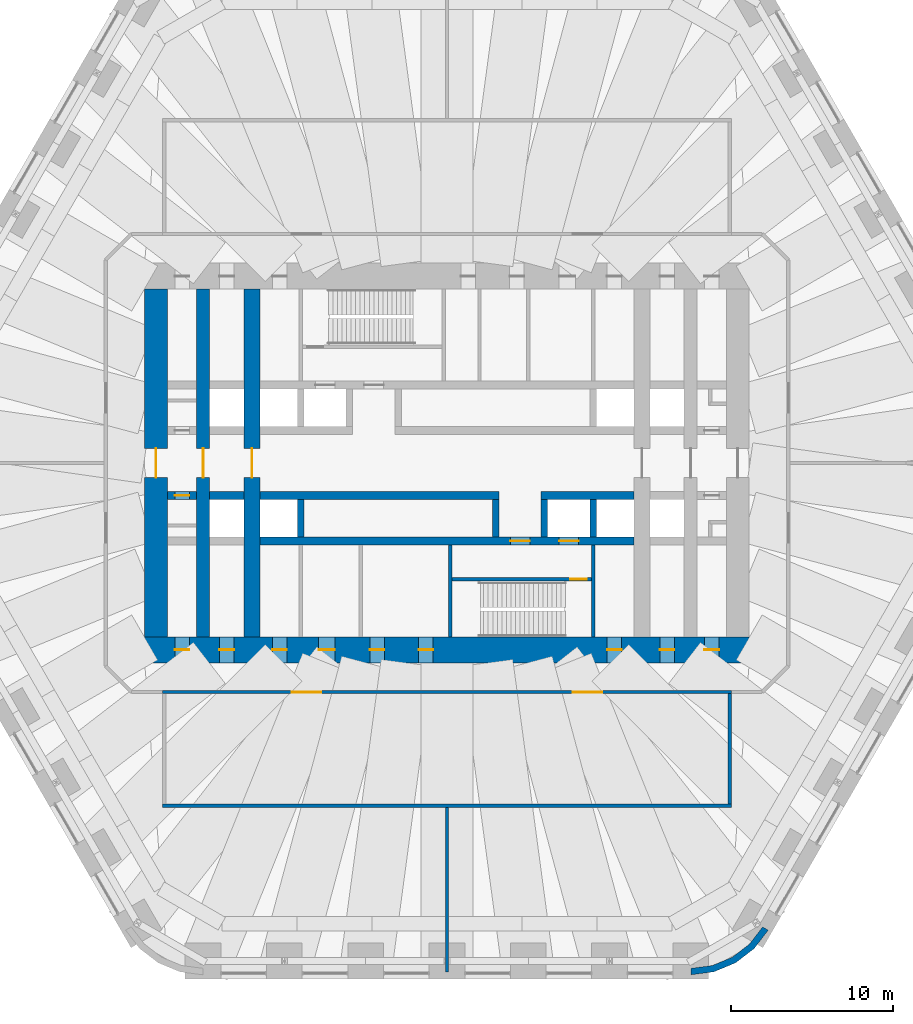
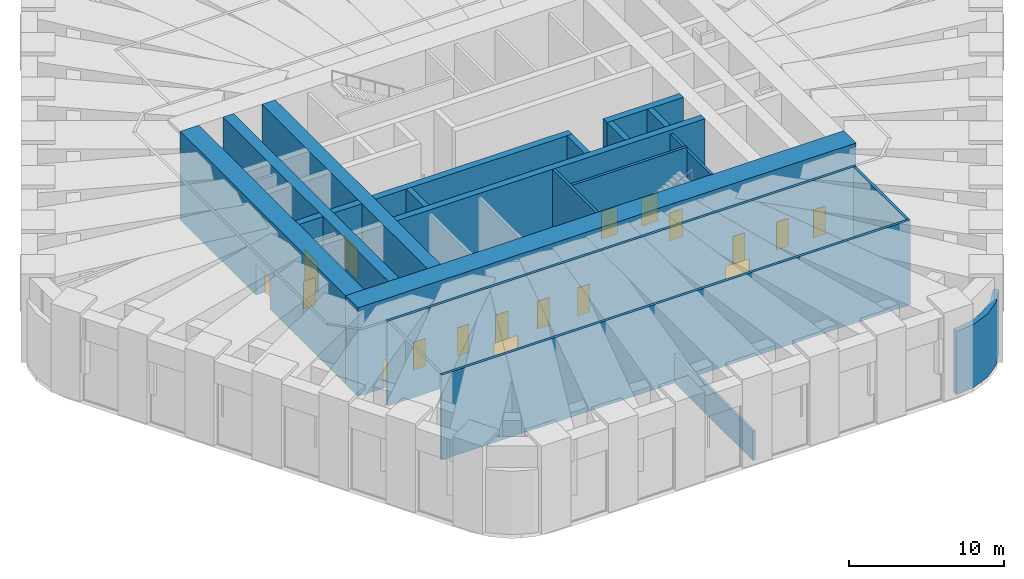
# One storey, part 13 of 16: 21 walls, 18 doors, 18 openings.
"""IFC4 building model written with IfcOpenShell, lengths in metres."""

from ifc_helpers import new_model, si_unit, direction, frame, frame_2d, origin, place, context, subcontext, project, spatial, polyline, rectangle, outline, extrude, material, layer, layer_set, type_object, element, fill, save


model = new_model("IFC4")

# Units and contexts
model_context = context("Model", 3, precision=1e-05, world=origin(), true_north=direction((0.0, 1.0)))
body_context = subcontext(model_context, "Body", "Model", "MODEL_VIEW")
ifc_project = project(units=[si_unit("LENGTHUNIT", "METRE"), si_unit("AREAUNIT", "SQUARE_METRE"), si_unit("VOLUMEUNIT", "CUBIC_METRE"), si_unit("PLANEANGLEUNIT", "RADIAN"), si_unit("MASSUNIT", "GRAM", prefix="KILO")], contexts=[model_context])

# Site, building, storey
site_placement = place(None, origin())
site = spatial("IfcSite", under=ifc_project, at=site_placement, CompositionType="ELEMENT")
building_placement = place(site_placement, origin())
building = spatial("IfcBuilding", under=site, at=building_placement, Name="Tarfa Lantern Tower", CompositionType="ELEMENT")
storey_placement = place(building_placement, frame((0.0, 0.0, 203.5)))
storey = spatial("IfcBuildingStorey", under=building, at=storey_placement, Name="L46", CompositionType="ELEMENT", Elevation=203.5)

# Walls
ifc_material_1 = material(Name="Limestone cladding on blockwork", Category="masonry")
ifc_layer_1 = layer(ifc_material_1, 0.39990234375)
ifc_layer_set_1 = layer_set([ifc_layer_1], Name="EW2 CURVED STONE CORNER 400")
wall_type_1 = type_object("IfcWallType", Name="EW2 CURVED STONE CORNER 400", PredefinedType="SOLIDWALL", material=ifc_layer_set_1)
wall_1_placement = place(storey_placement, origin())
element("IfcWall", 1, at=wall_1_placement, inside=storey, type_object=wall_type_1, Name="Stone corner S-SE", PredefinedType="SOLIDWALL", context=body_context, shape_type="SweptSolid", body=[
    extrude(outline(polyline([(15.010986328125, -31.5), (16.4345703125, -31.3125), (17.760986328125, -30.76318359375), (18.900146484375, -29.88916015625), (19.774169921875, -28.75), (19.427734375, -28.550048828125), (18.617431640625, -29.606201171875), (17.56103515625, -30.416748046875), (16.3310546875, -30.92626953125), (15.010986328125, -31.10009765625), (15.010986328125, -31.5)])), origin(), (0.0, 0.0, 1.0), 5.0),
])
ifc_material_2 = material(Name="Concrete blockwork", Category="masonry")
ifc_layer_2 = layer(ifc_material_2, 0.199951171875)
ifc_layer_set_2 = layer_set([ifc_layer_2], Name="IW1 BLOCKWORK PARTITION 200 EI 120")
wall_type_2 = type_object("IfcWallType", Name="IW1 BLOCKWORK PARTITION 200 EI 120", PredefinedType="PARTITIONING", material=ifc_layer_set_2)
wall_2_placement = place(storey_placement, frame((9.0, -5.050048828125, 0.0), z_axis=(0.0, 0.0, 1.0), x_axis=(0.0, -1.0, 0.0)))
element("IfcWall", 2, at=wall_2_placement, inside=storey, type_object=wall_type_2, Name="Core partition", PredefinedType="PARTITIONING", context=body_context, shape_type="SweptSolid", body=[
    extrude(rectangle(XDim=5.64990234375, YDim=0.199951171875, at=frame_2d((2.824951171875, 0.0))), origin(), (0.0, 0.0, 1.0), 6.699951171875),
])
wall_3_placement = place(storey_placement, frame((0.0, -21.199951171875, 0.0), z_axis=(0.0, 0.0, 1.0), x_axis=(0.0, -1.0, 0.0)))
element("IfcWall", 3, at=wall_3_placement, inside=storey, type_object=wall_type_2, Name="Fire-rated partition", PredefinedType="PARTITIONING", context=body_context, shape_type="SweptSolid", body=[
    extrude(rectangle(XDim=10.110107421875, YDim=0.199951171875, at=frame_2d((5.05517578125, 0.0))), origin(), (0.0, 0.0, 1.0), 2.300048828125),
])

# Wall, openings, doors
ifc_material_3 = material(Name="Gypsum board on steel studs", Category="steel")
ifc_layer_3 = layer(ifc_material_3, 0.2099609375)
ifc_layer_set_3 = layer_set([ifc_layer_3], Name="IW2 ACOUSTIC PARTITION 200")
wall_type_3 = type_object("IfcWallType", Name="IW2 ACOUSTIC PARTITION 200", PredefinedType="PARTITIONING", material=ifc_layer_set_3)
wall_4_placement = place(storey_placement, frame((17.5, -14.10009765625, 0.0), z_axis=(0.0, 0.0, 1.0), x_axis=(-1.0, 0.0, 0.0)))
wall_4 = element("IfcWall", 4, at=wall_4_placement, inside=storey, type_object=wall_type_3, Name="Partition", PredefinedType="PARTITIONING", context=body_context, shape_type="SweptSolid", body=[
    extrude(rectangle(XDim=35.0, YDim=0.199951171875, at=frame_2d((17.5, 0.0))), origin(), (0.0, 0.0, 1.0), 6.699951171875),
])
opening_1_placement = place(wall_4_placement, frame((25.25, 0.0, 0.0)))
opening_1 = element("IfcOpeningElement", 5, at=opening_1_placement, cuts=wall_4, Name="Opening D39", PredefinedType="OPENING", context=body_context, shape_type="SweptSolid", body=[
    extrude(rectangle(XDim=1.800048828125, YDim=2.199951171875, at=frame_2d((0.89990234375, 1.10009765625))), frame((0.0, 0.10986328125, 0.0), z_axis=(0.0, -1.0, 0.0), x_axis=(1.0, 0.0, 0.0)), (0.0, 0.0, 1.0), 0.219970703125),
])
opening_2_placement = place(wall_4_placement, frame((7.949951171875, 0.0, 0.0)))
opening_2 = element("IfcOpeningElement", 6, at=opening_2_placement, cuts=wall_4, Name="Opening D40", PredefinedType="OPENING", context=body_context, shape_type="SweptSolid", body=[
    extrude(rectangle(XDim=1.800048828125, YDim=2.199951171875, at=frame_2d((0.89990234375, 1.10009765625))), frame((0.0, 0.10986328125, 0.0), z_axis=(0.0, -1.0, 0.0), x_axis=(1.0, 0.0, 0.0)), (0.0, 0.0, 1.0), 0.219970703125),
])
ifc_material_4 = material(Name="Timber door", Category="wood")
door_type_1 = type_object("IfcDoorType", Name="DR5 ROOM DOOR 1800x2200", OperationType="DOUBLE_DOOR_SINGLE_SWING", PredefinedType="DOOR", material=ifc_material_4)
door_1_placement = place(opening_1_placement, origin())
door_1 = element("IfcDoor", 7, at=door_1_placement, inside=storey, type_object=door_type_1, Name="Refuge area door", OperationType="DOUBLE_DOOR_SINGLE_SWING", OverallHeight=2.199951171875, OverallWidth=1.800048828125, PredefinedType="DOOR", context=body_context, shape_type="SweptSolid", body=[
    extrude(rectangle(XDim=1.800048828125, YDim=2.199951171875, at=frame_2d((0.89990234375, 1.10009765625))), frame((0.0, 0.02490234375, 0.0), z_axis=(0.0, -1.0, 0.0), x_axis=(1.0, 0.0, 0.0)), (0.0, 0.0, 1.0), 0.050048828125),
])
fill(opening_1, door_1)
door_2_placement = place(opening_2_placement, origin())
door_2 = element("IfcDoor", 8, at=door_2_placement, inside=storey, type_object=door_type_1, Name="Refuge area door", OperationType="DOUBLE_DOOR_SINGLE_SWING", OverallHeight=2.199951171875, OverallWidth=1.800048828125, PredefinedType="DOOR", context=body_context, shape_type="SweptSolid", body=[
    extrude(rectangle(XDim=1.800048828125, YDim=2.199951171875, at=frame_2d((0.89990234375, 1.10009765625))), frame((0.0, 0.02490234375, 0.0), z_axis=(0.0, -1.0, 0.0), x_axis=(1.0, 0.0, 0.0)), (0.0, 0.0, 1.0), 0.050048828125),
])
fill(opening_2, door_2)

# Walls
wall_5_placement = place(storey_placement, frame((17.39990234375, -14.199951171875, 0.0), z_axis=(0.0, 0.0, 1.0), x_axis=(0.0, -1.0, 0.0)))
element("IfcWall", 9, at=wall_5_placement, inside=storey, type_object=wall_type_3, Name="Partition", PredefinedType="PARTITIONING", context=body_context, shape_type="SweptSolid", body=[
    extrude(rectangle(XDim=6.800048828125, YDim=0.199951171875, at=frame_2d((3.39990234375, 0.0))), origin(), (0.0, 0.0, 1.0), 6.699951171875),
])
wall_6_placement = place(storey_placement, frame((17.5, -21.10009765625, 0.0), z_axis=(0.0, 0.0, 1.0), x_axis=(-1.0, 0.0, 0.0)))
element("IfcWall", 10, at=wall_6_placement, inside=storey, type_object=wall_type_3, Name="Partition", PredefinedType="PARTITIONING", context=body_context, shape_type="SweptSolid", body=[
    extrude(rectangle(XDim=35.0, YDim=0.199951171875, at=frame_2d((17.5, 0.0))), origin(), (0.0, 0.0, 1.0), 6.699951171875),
])

# Wall, opening, door
ifc_material_5 = material(Name="Concrete C80/95", Category="concrete")
ifc_layer_4 = layer(ifc_material_5, 0.800048828125)
ifc_layer_set_4 = layer_set([ifc_layer_4], Name="SW10 CORE WALL 800")
wall_type_4 = type_object("IfcWallType", Name="SW10 CORE WALL 800", PredefinedType="SHEAR", material=ifc_layer_set_4)
wall_7_placement = place(storey_placement, frame((-15.0, -10.699951171875, 0.0), z_axis=(0.0, 0.0, 1.0), x_axis=(0.0, 1.0, 0.0)))
wall_7 = element("IfcWall", 11, at=wall_7_placement, inside=storey, type_object=wall_type_4, Name="Core wall cross 15 m west", PredefinedType="SHEAR", context=body_context, shape_type="SweptSolid", body=[
    extrude(rectangle(XDim=21.39990234375, YDim=0.800048828125, at=frame_2d((10.699951171875, 0.0))), origin(), (0.0, 0.0, 1.0), 7.0),
])
opening_3_placement = place(wall_7_placement, frame((9.800048828125, 0.0, 0.0)))
opening_3 = element("IfcOpeningElement", 12, at=opening_3_placement, cuts=wall_7, Name="Opening D32", PredefinedType="OPENING", context=body_context, shape_type="SweptSolid", body=[
    extrude(rectangle(XDim=1.800048828125, YDim=2.39990234375, at=frame_2d((0.89990234375, 1.199951171875))), frame((0.0, 0.409912109375, 0.0), z_axis=(0.0, -1.0, 0.0), x_axis=(1.0, 0.0, 0.0)), (0.0, 0.0, 1.0), 0.820068359375),
])
ifc_material_6 = material(Name="Steel fire door", Category="steel")
door_type_2 = type_object("IfcDoorType", Name="DL1 LOBBY DOOR 1800x2400", OperationType="DOUBLE_DOOR_SINGLE_SWING", PredefinedType="DOOR", material=ifc_material_6)
door_3_placement = place(opening_3_placement, origin())
door_3 = element("IfcDoor", 13, at=door_3_placement, inside=storey, type_object=door_type_2, Name="Lift lobby door", OperationType="DOUBLE_DOOR_SINGLE_SWING", OverallHeight=2.39990234375, OverallWidth=1.800048828125, PredefinedType="DOOR", context=body_context, shape_type="SweptSolid", body=[
    extrude(rectangle(XDim=1.800048828125, YDim=2.39990234375, at=frame_2d((0.89990234375, 1.199951171875))), frame((0.0, 0.02490234375, 0.0), z_axis=(0.0, -1.0, 0.0), x_axis=(1.0, 0.0, 0.0)), (0.0, 0.0, 1.0), 0.050048828125),
])
fill(opening_3, door_3)

ifc_layer_5 = layer(ifc_material_5, 1.39990234375)
ifc_layer_set_5 = layer_set([ifc_layer_5], Name="SW11 CORE WALL 1400")
wall_type_5 = type_object("IfcWallType", Name="SW11 CORE WALL 1400", PredefinedType="SHEAR", material=ifc_layer_set_5)
wall_8_placement = place(storey_placement, frame((-17.89990234375, 10.699951171875, 0.0), z_axis=(0.0, 0.0, 1.0), x_axis=(0.0, -1.0, 0.0)))
wall_8 = element("IfcWall", 14, at=wall_8_placement, inside=storey, type_object=wall_type_5, Name="Core wall W", PredefinedType="SHEAR", context=body_context, shape_type="SweptSolid", body=[
    extrude(rectangle(XDim=21.39990234375, YDim=1.39990234375, at=frame_2d((10.699951171875, 0.0))), origin(), (0.0, 0.0, 1.0), 7.0),
])
opening_4_placement = place(wall_8_placement, frame((9.800048828125, 0.0, 0.0)))
opening_4 = element("IfcOpeningElement", 15, at=opening_4_placement, cuts=wall_8, Name="Opening D16", PredefinedType="OPENING", context=body_context, shape_type="SweptSolid", body=[
    extrude(rectangle(XDim=1.800048828125, YDim=2.39990234375, at=frame_2d((0.89990234375, 1.199951171875))), frame((0.0, 0.7099609375, 0.0), z_axis=(0.0, -1.0, 0.0), x_axis=(1.0, 0.0, 0.0)), (0.0, 0.0, 1.0), 1.419921875),
])
door_4_placement = place(opening_4_placement, frame((1.800048828125, 0.0, 0.0), z_axis=(0.0, 0.0, 1.0), x_axis=(-1.0, 0.0, 0.0)))
door_4 = element("IfcDoor", 16, at=door_4_placement, inside=storey, type_object=door_type_2, Name="Lift lobby door", OperationType="DOUBLE_DOOR_SINGLE_SWING", OverallHeight=2.39990234375, OverallWidth=1.800048828125, PredefinedType="DOOR", context=body_context, shape_type="SweptSolid", body=[
    extrude(rectangle(XDim=1.800048828125, YDim=2.39990234375, at=frame_2d((0.89990234375, 1.199951171875))), frame((0.0, 0.02490234375, 0.0), z_axis=(0.0, -1.0, 0.0), x_axis=(1.0, 0.0, 0.0)), (0.0, 0.0, 1.0), 0.050048828125),
])
fill(opening_4, door_4)

# Wall
ifc_layer_6 = layer(ifc_material_5, 0.199951171875)
ifc_layer_set_6 = layer_set([ifc_layer_6], Name="SW12 CORE WALL 200")
wall_type_6 = type_object("IfcWallType", Name="SW12 CORE WALL 200", PredefinedType="SHEAR", material=ifc_layer_set_6)
wall_9_placement = place(storey_placement, frame((0.199951171875, -5.050048828125, 0.0), z_axis=(0.0, 0.0, 1.0), x_axis=(0.0, -1.0, 0.0)))
element("IfcWall", 17, at=wall_9_placement, inside=storey, type_object=wall_type_6, Name="Core wall stair shaft S", PredefinedType="SHEAR", context=body_context, shape_type="SweptSolid", body=[
    extrude(rectangle(XDim=5.64990234375, YDim=0.199951171875, at=frame_2d((2.824951171875, 0.0))), origin(), (0.0, 0.0, 1.0), 7.0),
])

# Wall, opening, door
wall_10_placement = place(storey_placement, frame((8.89990234375, -7.14990234375, 0.0), z_axis=(0.0, 0.0, 1.0), x_axis=(-1.0, 0.0, 0.0)))
wall_10 = element("IfcWall", 18, at=wall_10_placement, inside=storey, type_object=wall_type_6, Name="Core wall stair partition S", PredefinedType="SHEAR", context=body_context, shape_type="SweptSolid", body=[
    extrude(rectangle(XDim=8.599853515625, YDim=0.199951171875, at=frame_2d((4.2998046875, 0.0))), origin(), (0.0, 0.0, 1.0), 7.0),
])
opening_5_placement = place(wall_10_placement, frame((0.300048828125, 0.0, 0.0)))
opening_5 = element("IfcOpeningElement", 19, at=opening_5_placement, cuts=wall_10, Name="Opening D28", PredefinedType="OPENING", context=body_context, shape_type="SweptSolid", body=[
    extrude(rectangle(XDim=1.0, YDim=2.199951171875, at=frame_2d((0.5, 1.10009765625))), frame((0.0, 0.10986328125, 0.0), z_axis=(0.0, -1.0, 0.0), x_axis=(1.0, 0.0, 0.0)), (0.0, 0.0, 1.0), 0.219970703125),
])
door_type_3 = type_object("IfcDoorType", Name="DF2 STAIR DOOR 1000x2200", OperationType="SINGLE_SWING_LEFT", PredefinedType="DOOR", material=ifc_material_6)
door_5_placement = place(opening_5_placement, origin())
door_5 = element("IfcDoor", 20, at=door_5_placement, inside=storey, type_object=door_type_3, Name="Stair door", OperationType="SINGLE_SWING_RIGHT", OverallHeight=2.199951171875, OverallWidth=1.0, PredefinedType="DOOR", context=body_context, shape_type="SweptSolid", body=[
    extrude(rectangle(XDim=1.0, YDim=2.199951171875, at=frame_2d((0.5, 1.10009765625))), frame((0.0, 0.02490234375, 0.0), z_axis=(0.0, -1.0, 0.0), x_axis=(1.0, 0.0, 0.0)), (0.0, 0.0, 1.0), 0.050048828125),
])
fill(opening_5, door_5)

ifc_layer_7 = layer(ifc_material_5, 1.0)
ifc_layer_set_7 = layer_set([ifc_layer_7], Name="SW2 CORE WALL 1000")
wall_type_7 = type_object("IfcWallType", Name="SW2 CORE WALL 1000", PredefinedType="SHEAR", material=ifc_layer_set_7)
wall_11_placement = place(storey_placement, frame((-12.0, -10.699951171875, 0.0), z_axis=(0.0, 0.0, 1.0), x_axis=(0.0, 1.0, 0.0)))
wall_11 = element("IfcWall", 21, at=wall_11_placement, inside=storey, type_object=wall_type_7, Name="Core wall cross 12 m west", PredefinedType="SHEAR", context=body_context, shape_type="SweptSolid", body=[
    extrude(rectangle(XDim=21.39990234375, YDim=1.0, at=frame_2d((10.699951171875, 0.0))), origin(), (0.0, 0.0, 1.0), 7.0),
])
opening_6_placement = place(wall_11_placement, frame((9.800048828125, 0.0, 0.0)))
opening_6 = element("IfcOpeningElement", 22, at=opening_6_placement, cuts=wall_11, Name="Opening D31", PredefinedType="OPENING", context=body_context, shape_type="SweptSolid", body=[
    extrude(rectangle(XDim=1.800048828125, YDim=2.39990234375, at=frame_2d((0.89990234375, 1.199951171875))), frame((0.0, 0.510009765625, 0.0), z_axis=(0.0, -1.0, 0.0), x_axis=(1.0, 0.0, 0.0)), (0.0, 0.0, 1.0), 1.02001953125),
])
door_6_placement = place(opening_6_placement, origin())
door_6 = element("IfcDoor", 23, at=door_6_placement, inside=storey, type_object=door_type_2, Name="Lift lobby door", OperationType="DOUBLE_DOOR_SINGLE_SWING", OverallHeight=2.39990234375, OverallWidth=1.800048828125, PredefinedType="DOOR", context=body_context, shape_type="SweptSolid", body=[
    extrude(rectangle(XDim=1.800048828125, YDim=2.39990234375, at=frame_2d((0.89990234375, 1.199951171875))), frame((0.0, 0.02490234375, 0.0), z_axis=(0.0, -1.0, 0.0), x_axis=(1.0, 0.0, 0.0)), (0.0, 0.0, 1.0), 0.050048828125),
])
fill(opening_6, door_6)

# Walls
ifc_layer_8 = layer(ifc_material_5, 0.5)
ifc_layer_set_8 = layer_set([ifc_layer_8], Name="SW5 CORE WALL 500")
wall_type_8 = type_object("IfcWallType", Name="SW5 CORE WALL 500", PredefinedType="SHEAR", material=ifc_layer_set_8)
wall_12_placement = place(storey_placement, frame((11.5, -2.0, 0.0), z_axis=(0.0, 0.0, 1.0), x_axis=(-1.0, 0.0, 0.0)))
element("IfcWall", 24, at=wall_12_placement, inside=storey, type_object=wall_type_8, Name="Core wall lobby west S", PredefinedType="SHEAR", context=body_context, shape_type="SweptSolid", body=[
    extrude(rectangle(XDim=5.699951171875, YDim=0.5, at=frame_2d((2.85009765625, 0.0))), origin(), (0.0, 0.0, 1.0), 7.0),
])
wall_13_placement = place(storey_placement, frame((3.199951171875, -2.0, 0.0), z_axis=(0.0, 0.0, 1.0), x_axis=(-1.0, 0.0, 0.0)))
element("IfcWall", 25, at=wall_13_placement, inside=storey, type_object=wall_type_8, Name="Core wall lobby east S", PredefinedType="SHEAR", context=body_context, shape_type="SweptSolid", body=[
    extrude(rectangle(XDim=14.699951171875, YDim=0.5, at=frame_2d((7.35009765625, 0.0))), origin(), (0.0, 0.0, 1.0), 7.0),
])
wall_14_placement = place(storey_placement, frame((-12.5, -2.0, 0.0), z_axis=(0.0, 0.0, 1.0), x_axis=(-1.0, 0.0, 0.0)))
element("IfcWall", 26, at=wall_14_placement, inside=storey, type_object=wall_type_8, Name="Core wall lobby east S", PredefinedType="SHEAR", context=body_context, shape_type="SweptSolid", body=[
    extrude(rectangle(XDim=2.10009765625, YDim=0.5, at=frame_2d((1.050048828125, 0.0))), origin(), (0.0, 0.0, 1.0), 7.0),
])

# Wall, opening, door
wall_15_placement = place(storey_placement, frame((-15.39990234375, -2.0, 0.0), z_axis=(0.0, 0.0, 1.0), x_axis=(-1.0, 0.0, 0.0)))
wall_15 = element("IfcWall", 27, at=wall_15_placement, inside=storey, type_object=wall_type_8, Name="Core wall lobby east S", PredefinedType="SHEAR", context=body_context, shape_type="SweptSolid", body=[
    extrude(rectangle(XDim=1.800048828125, YDim=0.5, at=frame_2d((0.89990234375, 0.0))), origin(), (0.0, 0.0, 1.0), 7.0),
])
opening_7_placement = place(wall_15_placement, frame((0.449951171875, 0.0, 0.0)))
opening_7 = element("IfcOpeningElement", 28, at=opening_7_placement, cuts=wall_15, Name="Opening D18", PredefinedType="OPENING", context=body_context, shape_type="SweptSolid", body=[
    extrude(rectangle(XDim=0.89990234375, YDim=2.199951171875, at=frame_2d((0.449951171875, 1.10009765625))), frame((0.0, 0.260009765625, 0.0), z_axis=(0.0, -1.0, 0.0), x_axis=(1.0, 0.0, 0.0)), (0.0, 0.0, 1.0), 0.52001953125),
])
door_type_4 = type_object("IfcDoorType", Name="DF6 SERVICE ROOM DOOR 900x2200", OperationType="SINGLE_SWING_LEFT", PredefinedType="DOOR", material=ifc_material_6)
door_7_placement = place(opening_7_placement, origin())
door_7 = element("IfcDoor", 29, at=door_7_placement, inside=storey, type_object=door_type_4, Name="Service room door", OperationType="SINGLE_SWING_LEFT", OverallHeight=2.199951171875, OverallWidth=0.89990234375, PredefinedType="DOOR", context=body_context, shape_type="SweptSolid", body=[
    extrude(rectangle(XDim=0.89990234375, YDim=2.199951171875, at=frame_2d((0.449951171875, 1.10009765625))), frame((0.0, 0.02490234375, 0.0), z_axis=(0.0, -1.0, 0.0), x_axis=(1.0, 0.0, 0.0)), (0.0, 0.0, 1.0), 0.050048828125),
])
fill(opening_7, door_7)

# Wall, openings, doors
wall_16_placement = place(storey_placement, frame((11.5, -4.800048828125, 0.0), z_axis=(0.0, 0.0, 1.0), x_axis=(-1.0, 0.0, 0.0)))
wall_16 = element("IfcWall", 30, at=wall_16_placement, inside=storey, type_object=wall_type_8, Name="Core wall rear S", PredefinedType="SHEAR", context=body_context, shape_type="SweptSolid", body=[
    extrude(rectangle(XDim=23.0, YDim=0.5, at=frame_2d((11.5, 0.0))), origin(), (0.0, 0.0, 1.0), 7.0),
])
opening_8_placement = place(wall_16_placement, frame((6.39990234375, 0.0, 0.0)))
opening_8 = element("IfcOpeningElement", 31, at=opening_8_placement, cuts=wall_16, Name="Opening D14", PredefinedType="OPENING", context=body_context, shape_type="SweptSolid", body=[
    extrude(rectangle(XDim=1.199951171875, YDim=2.199951171875, at=frame_2d((0.60009765625, 1.10009765625))), frame((0.0, 0.260009765625, 0.0), z_axis=(0.0, -1.0, 0.0), x_axis=(1.0, 0.0, 0.0)), (0.0, 0.0, 1.0), 0.52001953125),
])
opening_9_placement = place(wall_16_placement, frame((3.39990234375, 0.0, 0.0)))
opening_9 = element("IfcOpeningElement", 32, at=opening_9_placement, cuts=wall_16, Name="Opening LD02", PredefinedType="OPENING", context=body_context, shape_type="SweptSolid", body=[
    extrude(rectangle(XDim=1.199951171875, YDim=2.199951171875, at=frame_2d((0.60009765625, 1.10009765625))), frame((0.0, 0.260009765625, 0.0), z_axis=(0.0, -1.0, 0.0), x_axis=(1.0, 0.0, 0.0)), (0.0, 0.0, 1.0), 0.52001953125),
])
door_type_5 = type_object("IfcDoorType", Name="DF1 FIREFIGHTING LOBBY DOOR 1200x2200", OperationType="SINGLE_SWING_LEFT", PredefinedType="DOOR", material=ifc_material_6)
door_8_placement = place(opening_8_placement, origin())
door_8 = element("IfcDoor", 33, at=door_8_placement, inside=storey, type_object=door_type_5, Name="Firefighting lobby door", OperationType="SINGLE_SWING_LEFT", OverallHeight=2.199951171875, OverallWidth=1.199951171875, PredefinedType="DOOR", context=body_context, shape_type="SweptSolid", body=[
    extrude(rectangle(XDim=1.199951171875, YDim=2.199951171875, at=frame_2d((0.60009765625, 1.10009765625))), frame((0.0, 0.02490234375, 0.0), z_axis=(0.0, -1.0, 0.0), x_axis=(1.0, 0.0, 0.0)), (0.0, 0.0, 1.0), 0.050048828125),
])
fill(opening_8, door_8)
ifc_material_7 = material(Name="Stainless steel lift door", Category="steel")
door_type_6 = type_object("IfcDoorType", Name="LD1 LIFT LANDING DOOR 1200x2200", OperationType="SLIDING_TO_LEFT", PredefinedType="DOOR", material=ifc_material_7)
door_9_placement = place(opening_9_placement, origin())
door_9 = element("IfcDoor", 34, at=door_9_placement, inside=storey, type_object=door_type_6, Name="Landing door FL2", OperationType="SLIDING_TO_LEFT", OverallHeight=2.199951171875, OverallWidth=1.199951171875, PredefinedType="DOOR", context=body_context, shape_type="SweptSolid", body=[
    extrude(rectangle(XDim=1.199951171875, YDim=2.199951171875, at=frame_2d((0.60009765625, 1.10009765625))), frame((0.0, 0.02490234375, 0.0), z_axis=(0.0, -1.0, 0.0), x_axis=(1.0, 0.0, 0.0)), (0.0, 0.0, 1.0), 0.050048828125),
])
fill(opening_9, door_9)

# Walls
ifc_layer_9 = layer(ifc_material_5, 0.39990234375)
ifc_layer_set_9 = layer_set([ifc_layer_9], Name="SW6 CORE WALL 400")
wall_type_9 = type_object("IfcWallType", Name="SW6 CORE WALL 400", PredefinedType="SHEAR", material=ifc_layer_set_9)
for number, where, z_axis, x_axis, name in (
    (35, (9.0, -2.25, 0.0), (0.0, 0.0, 1.0), (0.0, -1.0, 0.0), "Core wall divider S"),
    (36, (6.0, -2.25, 0.0), (0.0, 0.0, 1.0), (0.0, -1.0, 0.0), "Core wall divider S"),
    (37, (3.0, -2.25, 0.0), (0.0, 0.0, 1.0), (0.0, -1.0, 0.0), "Core wall divider S"),
    (38, (-9.0, -2.25, 0.0), (0.0, 0.0, 1.0), (0.0, -1.0, 0.0), "Core wall divider S"),
):
    element("IfcWall", number, at=place(storey_placement, frame(where, z_axis=z_axis, x_axis=x_axis)), inside=storey, type_object=wall_type_9, Name=name, PredefinedType="SHEAR", context=body_context, shape_type="SweptSolid", body=[
        extrude(rectangle(XDim=2.300048828125, YDim=0.39990234375, at=frame_2d((1.14990234375, 0.0))), origin(), (0.0, 0.0, 1.0), 7.0),
    ])

# Wall, openings, doors
ifc_layer_10 = layer(ifc_material_5, 1.60009765625)
ifc_layer_set_10 = layer_set([ifc_layer_10], Name="SW7 CORE WALL 1600")
wall_type_10 = type_object("IfcWallType", Name="SW7 CORE WALL 1600", PredefinedType="SHEAR", material=ifc_layer_set_10)
wall_17_placement = place(storey_placement, frame((18.60009765625, -11.5, 0.0), z_axis=(0.0, 0.0, 1.0), x_axis=(-1.0, 0.0, 0.0)))
wall_17 = element("IfcWall", 39, at=wall_17_placement, inside=storey, type_object=wall_type_10, Name="Core wall S", PredefinedType="SHEAR", context=body_context, shape_type="SweptSolid", body=[
    extrude(rectangle(XDim=37.2001953125, YDim=1.60009765625, at=frame_2d((18.60009765625, 0.0))), origin(), (0.0, 0.0, 1.0), 7.0),
])
opening_10_placement = place(wall_17_placement, frame((19.449951171875, 0.0, 0.0)))
opening_10 = element("IfcOpeningElement", 40, at=opening_10_placement, cuts=wall_17, Name="Opening D22", PredefinedType="OPENING", context=body_context, shape_type="SweptSolid", body=[
    extrude(rectangle(XDim=0.89990234375, YDim=2.199951171875, at=frame_2d((0.449951171875, 1.10009765625))), frame((0.0, 0.81005859375, 0.0), z_axis=(0.0, -1.0, 0.0), x_axis=(1.0, 0.0, 0.0)), (0.0, 0.0, 1.0), 1.6201171875),
])
opening_11_placement = place(wall_17_placement, frame((22.449951171875, 0.0, 0.0)))
opening_11 = element("IfcOpeningElement", 41, at=opening_11_placement, cuts=wall_17, Name="Opening D24", PredefinedType="OPENING", context=body_context, shape_type="SweptSolid", body=[
    extrude(rectangle(XDim=0.89990234375, YDim=2.199951171875, at=frame_2d((0.449951171875, 1.10009765625))), frame((0.0, 0.81005859375, 0.0), z_axis=(0.0, -1.0, 0.0), x_axis=(1.0, 0.0, 0.0)), (0.0, 0.0, 1.0), 1.6201171875),
])
opening_12_placement = place(wall_17_placement, frame((25.5, 0.0, 0.0)))
opening_12 = element("IfcOpeningElement", 42, at=opening_12_placement, cuts=wall_17, Name="Opening D26", PredefinedType="OPENING", context=body_context, shape_type="SweptSolid", body=[
    extrude(rectangle(XDim=1.0, YDim=2.199951171875, at=frame_2d((0.5, 1.10009765625))), frame((0.0, 0.81005859375, 0.0), z_axis=(0.0, -1.0, 0.0), x_axis=(1.0, 0.0, 0.0)), (0.0, 0.0, 1.0), 1.6201171875),
])
opening_13_placement = place(wall_17_placement, frame((1.85009765625, 0.0, 0.0)))
opening_13 = element("IfcOpeningElement", 43, at=opening_13_placement, cuts=wall_17, Name="Opening D12", PredefinedType="OPENING", context=body_context, shape_type="SweptSolid", body=[
    extrude(rectangle(XDim=0.89990234375, YDim=2.199951171875, at=frame_2d((0.449951171875, 1.10009765625))), frame((0.0, 0.81005859375, 0.0), z_axis=(0.0, -1.0, 0.0), x_axis=(1.0, 0.0, 0.0)), (0.0, 0.0, 1.0), 1.6201171875),
])
opening_14_placement = place(wall_17_placement, frame((4.60009765625, 0.0, 0.0)))
opening_14 = element("IfcOpeningElement", 44, at=opening_14_placement, cuts=wall_17, Name="Opening D08", PredefinedType="OPENING", context=body_context, shape_type="SweptSolid", body=[
    extrude(rectangle(XDim=0.89990234375, YDim=2.199951171875, at=frame_2d((0.449951171875, 1.10009765625))), frame((0.0, 0.81005859375, 0.0), z_axis=(0.0, -1.0, 0.0), x_axis=(1.0, 0.0, 0.0)), (0.0, 0.0, 1.0), 1.6201171875),
])
opening_15_placement = place(wall_17_placement, frame((7.85009765625, 0.0, 0.0)))
opening_15 = element("IfcOpeningElement", 45, at=opening_15_placement, cuts=wall_17, Name="Opening D10", PredefinedType="OPENING", context=body_context, shape_type="SweptSolid", body=[
    extrude(rectangle(XDim=0.89990234375, YDim=2.199951171875, at=frame_2d((0.449951171875, 1.10009765625))), frame((0.0, 0.81005859375, 0.0), z_axis=(0.0, -1.0, 0.0), x_axis=(1.0, 0.0, 0.0)), (0.0, 0.0, 1.0), 1.6201171875),
])
opening_16_placement = place(wall_17_placement, frame((28.449951171875, 0.0, 0.0)))
opening_16 = element("IfcOpeningElement", 46, at=opening_16_placement, cuts=wall_17, Name="Opening D06", PredefinedType="OPENING", context=body_context, shape_type="SweptSolid", body=[
    extrude(rectangle(XDim=0.89990234375, YDim=2.199951171875, at=frame_2d((0.449951171875, 1.10009765625))), frame((0.0, 0.81005859375, 0.0), z_axis=(0.0, -1.0, 0.0), x_axis=(1.0, 0.0, 0.0)), (0.0, 0.0, 1.0), 1.6201171875),
])
opening_17_placement = place(wall_17_placement, frame((31.699951171875, 0.0, 0.0)))
opening_17 = element("IfcOpeningElement", 47, at=opening_17_placement, cuts=wall_17, Name="Opening D02", PredefinedType="OPENING", context=body_context, shape_type="SweptSolid", body=[
    extrude(rectangle(XDim=0.89990234375, YDim=2.199951171875, at=frame_2d((0.449951171875, 1.10009765625))), frame((0.0, 0.81005859375, 0.0), z_axis=(0.0, -1.0, 0.0), x_axis=(1.0, 0.0, 0.0)), (0.0, 0.0, 1.0), 1.6201171875),
])
opening_18_placement = place(wall_17_placement, frame((34.449951171875, 0.0, 0.0)))
opening_18 = element("IfcOpeningElement", 48, at=opening_18_placement, cuts=wall_17, Name="Opening D04", PredefinedType="OPENING", context=body_context, shape_type="SweptSolid", body=[
    extrude(rectangle(XDim=0.89990234375, YDim=2.199951171875, at=frame_2d((0.449951171875, 1.10009765625))), frame((0.0, 0.81005859375, 0.0), z_axis=(0.0, -1.0, 0.0), x_axis=(1.0, 0.0, 0.0)), (0.0, 0.0, 1.0), 1.6201171875),
])
door_type_7 = type_object("IfcDoorType", Name="DF3 CORE ROOM DOOR 900x2200", OperationType="SINGLE_SWING_LEFT", PredefinedType="DOOR", material=ifc_material_6)
door_10_placement = place(opening_10_placement, frame((0.89990234375, 0.0, 0.0), z_axis=(0.0, 0.0, 1.0), x_axis=(-1.0, 0.0, 0.0)))
door_10 = element("IfcDoor", 49, at=door_10_placement, inside=storey, type_object=door_type_7, Name="Core door", OperationType="SINGLE_SWING_LEFT", OverallHeight=2.199951171875, OverallWidth=0.89990234375, PredefinedType="DOOR", context=body_context, shape_type="SweptSolid", body=[
    extrude(rectangle(XDim=0.89990234375, YDim=2.199951171875, at=frame_2d((0.449951171875, 1.10009765625))), frame((0.0, 0.02490234375, 0.0), z_axis=(0.0, -1.0, 0.0), x_axis=(1.0, 0.0, 0.0)), (0.0, 0.0, 1.0), 0.050048828125),
])
fill(opening_10, door_10)
door_11_placement = place(opening_11_placement, frame((0.89990234375, 0.0, 0.0), z_axis=(0.0, 0.0, 1.0), x_axis=(-1.0, 0.0, 0.0)))
door_11 = element("IfcDoor", 50, at=door_11_placement, inside=storey, type_object=door_type_7, Name="Core door", OperationType="SINGLE_SWING_RIGHT", OverallHeight=2.199951171875, OverallWidth=0.89990234375, PredefinedType="DOOR", context=body_context, shape_type="SweptSolid", body=[
    extrude(rectangle(XDim=0.89990234375, YDim=2.199951171875, at=frame_2d((0.449951171875, 1.10009765625))), frame((0.0, 0.02490234375, 0.0), z_axis=(0.0, -1.0, 0.0), x_axis=(1.0, 0.0, 0.0)), (0.0, 0.0, 1.0), 0.050048828125),
])
fill(opening_11, door_11)
door_type_8 = type_object("IfcDoorType", Name="DF4 CORE ROOM DOOR 1000x2200", OperationType="SINGLE_SWING_LEFT", PredefinedType="DOOR", material=ifc_material_6)
door_12_placement = place(opening_12_placement, frame((1.0, 0.0, 0.0), z_axis=(0.0, 0.0, 1.0), x_axis=(-1.0, 0.0, 0.0)))
door_12 = element("IfcDoor", 51, at=door_12_placement, inside=storey, type_object=door_type_8, Name="Core door", OperationType="SINGLE_SWING_RIGHT", OverallHeight=2.199951171875, OverallWidth=1.0, PredefinedType="DOOR", context=body_context, shape_type="SweptSolid", body=[
    extrude(rectangle(XDim=1.0, YDim=2.199951171875, at=frame_2d((0.5, 1.10009765625))), frame((0.0, 0.02490234375, 0.0), z_axis=(0.0, -1.0, 0.0), x_axis=(1.0, 0.0, 0.0)), (0.0, 0.0, 1.0), 0.050048828125),
])
fill(opening_12, door_12)
door_type_9 = type_object("IfcDoorType", Name="DF5 RISER DOOR 900x2200", OperationType="SINGLE_SWING_LEFT", PredefinedType="DOOR", material=ifc_material_6)
door_13_placement = place(opening_13_placement, frame((0.89990234375, 0.0, 0.0), z_axis=(0.0, 0.0, 1.0), x_axis=(-1.0, 0.0, 0.0)))
door_13 = element("IfcDoor", 52, at=door_13_placement, inside=storey, type_object=door_type_9, Name="Riser door", OperationType="SINGLE_SWING_LEFT", OverallHeight=2.199951171875, OverallWidth=0.89990234375, PredefinedType="DOOR", context=body_context, shape_type="SweptSolid", body=[
    extrude(rectangle(XDim=0.89990234375, YDim=2.199951171875, at=frame_2d((0.449951171875, 1.10009765625))), frame((0.0, 0.02490234375, 0.0), z_axis=(0.0, -1.0, 0.0), x_axis=(1.0, 0.0, 0.0)), (0.0, 0.0, 1.0), 0.050048828125),
])
fill(opening_13, door_13)
door_14_placement = place(opening_14_placement, frame((0.89990234375, 0.0, 0.0), z_axis=(0.0, 0.0, 1.0), x_axis=(-1.0, 0.0, 0.0)))
door_14 = element("IfcDoor", 53, at=door_14_placement, inside=storey, type_object=door_type_9, Name="Riser door", OperationType="SINGLE_SWING_LEFT", OverallHeight=2.199951171875, OverallWidth=0.89990234375, PredefinedType="DOOR", context=body_context, shape_type="SweptSolid", body=[
    extrude(rectangle(XDim=0.89990234375, YDim=2.199951171875, at=frame_2d((0.449951171875, 1.10009765625))), frame((0.0, 0.02490234375, 0.0), z_axis=(0.0, -1.0, 0.0), x_axis=(1.0, 0.0, 0.0)), (0.0, 0.0, 1.0), 0.050048828125),
])
fill(opening_14, door_14)
door_15_placement = place(opening_15_placement, frame((0.89990234375, 0.0, 0.0), z_axis=(0.0, 0.0, 1.0), x_axis=(-1.0, 0.0, 0.0)))
door_15 = element("IfcDoor", 54, at=door_15_placement, inside=storey, type_object=door_type_9, Name="Riser door", OperationType="SINGLE_SWING_LEFT", OverallHeight=2.199951171875, OverallWidth=0.89990234375, PredefinedType="DOOR", context=body_context, shape_type="SweptSolid", body=[
    extrude(rectangle(XDim=0.89990234375, YDim=2.199951171875, at=frame_2d((0.449951171875, 1.10009765625))), frame((0.0, 0.02490234375, 0.0), z_axis=(0.0, -1.0, 0.0), x_axis=(1.0, 0.0, 0.0)), (0.0, 0.0, 1.0), 0.050048828125),
])
fill(opening_15, door_15)
door_16_placement = place(opening_16_placement, frame((0.89990234375, 0.0, 0.0), z_axis=(0.0, 0.0, 1.0), x_axis=(-1.0, 0.0, 0.0)))
door_16 = element("IfcDoor", 55, at=door_16_placement, inside=storey, type_object=door_type_9, Name="Riser door", OperationType="SINGLE_SWING_RIGHT", OverallHeight=2.199951171875, OverallWidth=0.89990234375, PredefinedType="DOOR", context=body_context, shape_type="SweptSolid", body=[
    extrude(rectangle(XDim=0.89990234375, YDim=2.199951171875, at=frame_2d((0.449951171875, 1.10009765625))), frame((0.0, 0.02490234375, 0.0), z_axis=(0.0, -1.0, 0.0), x_axis=(1.0, 0.0, 0.0)), (0.0, 0.0, 1.0), 0.050048828125),
])
fill(opening_16, door_16)
door_17_placement = place(opening_17_placement, frame((0.89990234375, 0.0, 0.0), z_axis=(0.0, 0.0, 1.0), x_axis=(-1.0, 0.0, 0.0)))
door_17 = element("IfcDoor", 56, at=door_17_placement, inside=storey, type_object=door_type_9, Name="Riser door", OperationType="SINGLE_SWING_RIGHT", OverallHeight=2.199951171875, OverallWidth=0.89990234375, PredefinedType="DOOR", context=body_context, shape_type="SweptSolid", body=[
    extrude(rectangle(XDim=0.89990234375, YDim=2.199951171875, at=frame_2d((0.449951171875, 1.10009765625))), frame((0.0, 0.02490234375, 0.0), z_axis=(0.0, -1.0, 0.0), x_axis=(1.0, 0.0, 0.0)), (0.0, 0.0, 1.0), 0.050048828125),
])
fill(opening_17, door_17)
door_18_placement = place(opening_18_placement, frame((0.89990234375, 0.0, 0.0), z_axis=(0.0, 0.0, 1.0), x_axis=(-1.0, 0.0, 0.0)))
door_18 = element("IfcDoor", 57, at=door_18_placement, inside=storey, type_object=door_type_9, Name="Riser door", OperationType="SINGLE_SWING_RIGHT", OverallHeight=2.199951171875, OverallWidth=0.89990234375, PredefinedType="DOOR", context=body_context, shape_type="SweptSolid", body=[
    extrude(rectangle(XDim=0.89990234375, YDim=2.199951171875, at=frame_2d((0.449951171875, 1.10009765625))), frame((0.0, 0.02490234375, 0.0), z_axis=(0.0, -1.0, 0.0), x_axis=(1.0, 0.0, 0.0)), (0.0, 0.0, 1.0), 0.050048828125),
])
fill(opening_18, door_18)

save(model, "model.ifc")
